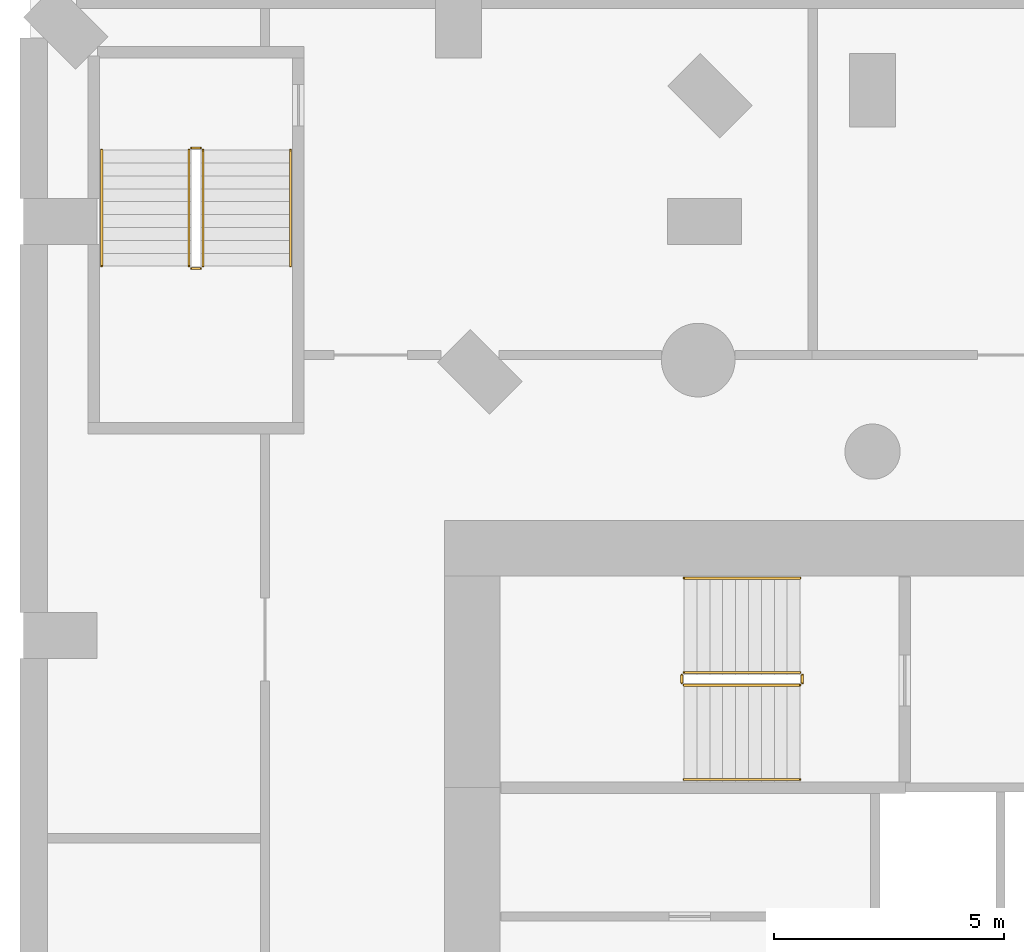
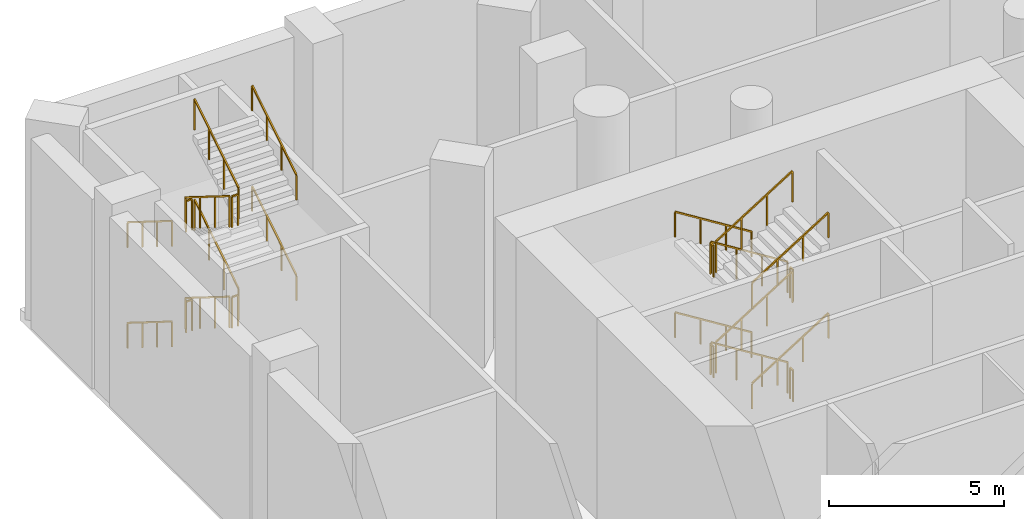
# One storey, part 20 of 21: 24 railings.
"""IFC4 building model written with IfcOpenShell, lengths in metres."""

from ifc_helpers import new_model, si_unit, direction, frame, origin, origin_2d, place, context, subcontext, project, spatial, rectangle, extrude, material, type_object, element, save


model = new_model("IFC4")

# Units and contexts
model_context = context("Model", 3, precision=1e-05, world=origin(), true_north=direction((0.0, 1.0)))
body_context = subcontext(model_context, "Body", "Model", "MODEL_VIEW")
ifc_project = project(units=[si_unit("LENGTHUNIT", "METRE"), si_unit("AREAUNIT", "SQUARE_METRE"), si_unit("VOLUMEUNIT", "CUBIC_METRE"), si_unit("PLANEANGLEUNIT", "RADIAN"), si_unit("MASSUNIT", "GRAM", prefix="KILO")], contexts=[model_context])

# Site, building, storey
site_placement = place(None, origin())
site = spatial("IfcSite", under=ifc_project, at=site_placement, CompositionType="ELEMENT")
building_placement = place(site_placement, origin())
building = spatial("IfcBuilding", under=site, at=building_placement, Name="Cypress Arch Tower", CompositionType="ELEMENT")
storey_placement = place(building_placement, frame((0.0, 0.0, 29.0)))
storey = spatial("IfcBuildingStorey", under=building, at=storey_placement, Name="L03", CompositionType="ELEMENT", Elevation=29.0)

# Railings
ifc_material_1 = material(Name="Black powder-coated steel square bar 48 mm", Category="steel")
railing_type_1 = type_object("IfcRailingType", Name="Stair handrail HR1", PredefinedType="HANDRAIL", material=ifc_material_1)
railing_1_placement = place(storey_placement, frame((-22.27490234375, 14.75, 0.175048828125)))
element("IfcRailing", 1, at=railing_1_placement, inside=storey, type_object=railing_type_1, Name="L03 B stair handrail 1", PredefinedType="HANDRAIL", context=body_context, shape_type="SweptSolid", body=[
    extrude(rectangle(XDim=0.048095703125, YDim=0.048095703125, at=origin_2d()), frame((0.0, 0.0, 0.8759765625), z_axis=(-0.848007534815, 0.0, 0.529984170421), x_axis=(0.0, -1.0, 0.0)), (0.0, 0.0, 1.0), 2.9716796875),
    extrude(rectangle(XDim=0.0419921875, YDim=0.0419921875, at=origin_2d()), origin(), (0.0, 0.0, 1.0), 0.851806640625),
    extrude(rectangle(XDim=0.0419921875, YDim=0.0419921875, at=origin_2d()), frame((-0.840087890625, 0.0, 0.52490234375)), (0.0, 0.0, 1.0), 0.851806640625),
    extrude(rectangle(XDim=0.0419921875, YDim=0.0419921875, at=origin_2d()), frame((-1.679931640625, 0.0, 1.050048828125)), (0.0, 0.0, 1.0), 0.851806640625),
    extrude(rectangle(XDim=0.0419921875, YDim=0.0419921875, at=origin_2d()), frame((-2.52001953125, 0.0, 1.574951171875)), (0.0, 0.0, 1.0), 0.851806640625),
])
railing_2_placement = place(storey_placement, frame((-24.794921875, 10.375, 1.925048828125)))
element("IfcRailing", 2, at=railing_2_placement, inside=storey, type_object=railing_type_1, Name="L03 B stair handrail 2", PredefinedType="HANDRAIL", context=body_context, shape_type="SweptSolid", body=[
    extrude(rectangle(XDim=0.048095703125, YDim=0.048095703125, at=origin_2d()), frame((0.0, 0.0, 0.8759765625), z_axis=(0.848007534815, 0.0, 0.529984170421), x_axis=(0.0, 1.0, 0.0)), (0.0, 0.0, 1.0), 2.9716796875),
    extrude(rectangle(XDim=0.0419921875, YDim=0.0419921875, at=origin_2d()), origin(), (0.0, 0.0, 1.0), 0.851806640625),
    extrude(rectangle(XDim=0.0419921875, YDim=0.0419921875, at=origin_2d()), frame((0.840087890625, 0.0, 0.52490234375)), (0.0, 0.0, 1.0), 0.851806640625),
    extrude(rectangle(XDim=0.0419921875, YDim=0.0419921875, at=origin_2d()), frame((1.679931640625, 0.0, 1.050048828125)), (0.0, 0.0, 1.0), 0.851806640625),
    extrude(rectangle(XDim=0.0419921875, YDim=0.0419921875, at=origin_2d()), frame((2.52001953125, 0.0, 1.574951171875)), (0.0, 0.0, 1.0), 0.851806640625),
])
railing_3_placement = place(storey_placement, frame((-22.27490234375, 14.75, 3.675048828125)))
element("IfcRailing", 3, at=railing_3_placement, inside=storey, type_object=railing_type_1, Name="L03 B stair handrail 3", PredefinedType="HANDRAIL", context=body_context, shape_type="SweptSolid", body=[
    extrude(rectangle(XDim=0.048095703125, YDim=0.048095703125, at=origin_2d()), frame((0.0, 0.0, 0.8759765625), z_axis=(-0.848007534815, 0.0, 0.529984170421), x_axis=(0.0, -1.0, 0.0)), (0.0, 0.0, 1.0), 2.9716796875),
    extrude(rectangle(XDim=0.0419921875, YDim=0.0419921875, at=origin_2d()), origin(), (0.0, 0.0, 1.0), 0.851806640625),
    extrude(rectangle(XDim=0.0419921875, YDim=0.0419921875, at=origin_2d()), frame((-0.840087890625, 0.0, 0.52490234375)), (0.0, 0.0, 1.0), 0.851806640625),
    extrude(rectangle(XDim=0.0419921875, YDim=0.0419921875, at=origin_2d()), frame((-1.679931640625, 0.0, 1.050048828125)), (0.0, 0.0, 1.0), 0.851806640625),
    extrude(rectangle(XDim=0.0419921875, YDim=0.0419921875, at=origin_2d()), frame((-2.52001953125, 0.0, 1.574951171875)), (0.0, 0.0, 1.0), 0.851806640625),
])
railing_4_placement = place(storey_placement, frame((-24.794921875, 10.375, 5.425048828125)))
element("IfcRailing", 4, at=railing_4_placement, inside=storey, type_object=railing_type_1, Name="L03 B stair handrail 4", PredefinedType="HANDRAIL", context=body_context, shape_type="SweptSolid", body=[
    extrude(rectangle(XDim=0.048095703125, YDim=0.048095703125, at=origin_2d()), frame((0.0, 0.0, 0.8759765625), z_axis=(0.848007534815, 0.0, 0.529984170421), x_axis=(0.0, 1.0, 0.0)), (0.0, 0.0, 1.0), 2.9716796875),
    extrude(rectangle(XDim=0.0419921875, YDim=0.0419921875, at=origin_2d()), origin(), (0.0, 0.0, 1.0), 0.851806640625),
    extrude(rectangle(XDim=0.0419921875, YDim=0.0419921875, at=origin_2d()), frame((0.840087890625, 0.0, 0.52490234375)), (0.0, 0.0, 1.0), 0.851806640625),
    extrude(rectangle(XDim=0.0419921875, YDim=0.0419921875, at=origin_2d()), frame((1.679931640625, 0.0, 1.050048828125)), (0.0, 0.0, 1.0), 0.851806640625),
    extrude(rectangle(XDim=0.0419921875, YDim=0.0419921875, at=origin_2d()), frame((2.52001953125, 0.0, 1.574951171875)), (0.0, 0.0, 1.0), 0.851806640625),
])
railing_5_placement = place(storey_placement, frame((-37.449951171875, 24.050048828125, 0.175048828125)))
element("IfcRailing", 5, at=railing_5_placement, inside=storey, type_object=railing_type_1, Name="L03 P2 stair handrail 1", PredefinedType="HANDRAIL", context=body_context, shape_type="SweptSolid", body=[
    extrude(rectangle(XDim=0.048095703125, YDim=0.048095703125, at=origin_2d()), frame((0.0, 0.0, 0.8759765625), z_axis=(0.0, -0.848007534815, 0.529984170421), x_axis=(1.0, 0.0, 0.0)), (0.0, 0.0, 1.0), 2.9716796875),
    extrude(rectangle(XDim=0.0419921875, YDim=0.0419921875, at=origin_2d()), origin(), (0.0, 0.0, 1.0), 0.851806640625),
    extrude(rectangle(XDim=0.0419921875, YDim=0.0419921875, at=origin_2d()), frame((0.0, -0.840087890625, 0.52490234375)), (0.0, 0.0, 1.0), 0.851806640625),
    extrude(rectangle(XDim=0.0419921875, YDim=0.0419921875, at=origin_2d()), frame((0.0, -1.679931640625, 1.050048828125)), (0.0, 0.0, 1.0), 0.851806640625),
    extrude(rectangle(XDim=0.0419921875, YDim=0.0419921875, at=origin_2d()), frame((0.0, -2.52001953125, 1.574951171875)), (0.0, 0.0, 1.0), 0.851806640625),
])
railing_6_placement = place(storey_placement, frame((-33.35009765625, 21.530029296875, 1.925048828125)))
element("IfcRailing", 6, at=railing_6_placement, inside=storey, type_object=railing_type_1, Name="L03 P2 stair handrail 2", PredefinedType="HANDRAIL", context=body_context, shape_type="SweptSolid", body=[
    extrude(rectangle(XDim=0.048095703125, YDim=0.048095703125, at=origin_2d()), frame((0.0, 0.0, 0.8759765625), z_axis=(0.0, 0.848007534815, 0.529984170421), x_axis=(-1.0, 0.0, 0.0)), (0.0, 0.0, 1.0), 2.9716796875),
    extrude(rectangle(XDim=0.0419921875, YDim=0.0419921875, at=origin_2d()), origin(), (0.0, 0.0, 1.0), 0.851806640625),
    extrude(rectangle(XDim=0.0419921875, YDim=0.0419921875, at=origin_2d()), frame((0.0, 0.840087890625, 0.52490234375)), (0.0, 0.0, 1.0), 0.851806640625),
    extrude(rectangle(XDim=0.0419921875, YDim=0.0419921875, at=origin_2d()), frame((0.0, 1.679931640625, 1.050048828125)), (0.0, 0.0, 1.0), 0.851806640625),
    extrude(rectangle(XDim=0.0419921875, YDim=0.0419921875, at=origin_2d()), frame((0.0, 2.52001953125, 1.574951171875)), (0.0, 0.0, 1.0), 0.851806640625),
])
railing_7_placement = place(storey_placement, frame((-37.449951171875, 24.050048828125, 3.675048828125)))
element("IfcRailing", 7, at=railing_7_placement, inside=storey, type_object=railing_type_1, Name="L03 P2 stair handrail 3", PredefinedType="HANDRAIL", context=body_context, shape_type="SweptSolid", body=[
    extrude(rectangle(XDim=0.048095703125, YDim=0.048095703125, at=origin_2d()), frame((0.0, 0.0, 0.8759765625), z_axis=(0.0, -0.848007534815, 0.529984170421), x_axis=(1.0, 0.0, 0.0)), (0.0, 0.0, 1.0), 2.9716796875),
    extrude(rectangle(XDim=0.0419921875, YDim=0.0419921875, at=origin_2d()), origin(), (0.0, 0.0, 1.0), 0.851806640625),
    extrude(rectangle(XDim=0.0419921875, YDim=0.0419921875, at=origin_2d()), frame((0.0, -0.840087890625, 0.52490234375)), (0.0, 0.0, 1.0), 0.851806640625),
    extrude(rectangle(XDim=0.0419921875, YDim=0.0419921875, at=origin_2d()), frame((0.0, -1.679931640625, 1.050048828125)), (0.0, 0.0, 1.0), 0.851806640625),
    extrude(rectangle(XDim=0.0419921875, YDim=0.0419921875, at=origin_2d()), frame((0.0, -2.52001953125, 1.574951171875)), (0.0, 0.0, 1.0), 0.851806640625),
])
railing_8_placement = place(storey_placement, frame((-33.35009765625, 21.530029296875, 5.425048828125)))
element("IfcRailing", 8, at=railing_8_placement, inside=storey, type_object=railing_type_1, Name="L03 P2 stair handrail 4", PredefinedType="HANDRAIL", context=body_context, shape_type="SweptSolid", body=[
    extrude(rectangle(XDim=0.048095703125, YDim=0.048095703125, at=origin_2d()), frame((0.0, 0.0, 0.8759765625), z_axis=(0.0, 0.848007534815, 0.529984170421), x_axis=(-1.0, 0.0, 0.0)), (0.0, 0.0, 1.0), 2.9716796875),
    extrude(rectangle(XDim=0.0419921875, YDim=0.0419921875, at=origin_2d()), origin(), (0.0, 0.0, 1.0), 0.851806640625),
    extrude(rectangle(XDim=0.0419921875, YDim=0.0419921875, at=origin_2d()), frame((0.0, 0.840087890625, 0.52490234375)), (0.0, 0.0, 1.0), 0.851806640625),
    extrude(rectangle(XDim=0.0419921875, YDim=0.0419921875, at=origin_2d()), frame((0.0, 1.679931640625, 1.050048828125)), (0.0, 0.0, 1.0), 0.851806640625),
    extrude(rectangle(XDim=0.0419921875, YDim=0.0419921875, at=origin_2d()), frame((0.0, 2.52001953125, 1.574951171875)), (0.0, 0.0, 1.0), 0.851806640625),
])
ifc_material_2 = material(Name="Black powder-coated steel balusters", Category="steel")
railing_type_2 = type_object("IfcRailingType", Name="Stair well guard G1", PredefinedType="GUARDRAIL", material=ifc_material_2)
railing_9_placement = place(storey_placement, frame((-22.27490234375, 12.699951171875, 0.175048828125)))
element("IfcRailing", 9, at=railing_9_placement, inside=storey, type_object=railing_type_2, Name="L03 B stair guard 1", PredefinedType="GUARDRAIL", context=body_context, shape_type="SweptSolid", body=[
    extrude(rectangle(XDim=0.048095703125, YDim=0.048095703125, at=origin_2d()), frame((0.0, 0.0, 1.076171875), z_axis=(-0.848007534815, 0.0, 0.529984170421), x_axis=(0.0, -1.0, 0.0)), (0.0, 0.0, 1.0), 2.9716796875),
    extrude(rectangle(XDim=0.0419921875, YDim=0.0419921875, at=origin_2d()), origin(), (0.0, 0.0, 1.0), 1.052001953125),
    extrude(rectangle(XDim=0.0419921875, YDim=0.0419921875, at=origin_2d()), frame((-0.840087890625, 0.0, 0.52490234375)), (0.0, 0.0, 1.0), 1.052001953125),
    extrude(rectangle(XDim=0.0419921875, YDim=0.0419921875, at=origin_2d()), frame((-1.679931640625, 0.0, 1.050048828125)), (0.0, 0.0, 1.0), 1.052001953125),
    extrude(rectangle(XDim=0.0419921875, YDim=0.0419921875, at=origin_2d()), frame((-2.52001953125, 0.0, 1.574951171875)), (0.0, 0.0, 1.0), 1.052001953125),
])
railing_10_placement = place(storey_placement, frame((-24.844970703125, 12.64990234375, 1.75)))
element("IfcRailing", 10, at=railing_10_placement, inside=storey, type_object=railing_type_2, Name="L03 B stair guard 2", PredefinedType="GUARDRAIL", context=body_context, shape_type="SweptSolid", body=[
    extrude(rectangle(XDim=0.048095703125, YDim=0.048095703125, at=origin_2d()), frame((0.0, 0.0, 1.076171875), z_axis=(0.0, -1.0, 0.0), x_axis=(1.0, 0.0, 0.0)), (0.0, 0.0, 1.0), 0.1748046875),
    extrude(rectangle(XDim=0.0419921875, YDim=0.0419921875, at=origin_2d()), origin(), (0.0, 0.0, 1.0), 1.052001953125),
    extrude(rectangle(XDim=0.0419921875, YDim=0.0419921875, at=origin_2d()), frame((0.0, -0.1748046875, 0.0)), (0.0, 0.0, 1.0), 1.052001953125),
])
railing_11_placement = place(storey_placement, frame((-24.794921875, 12.425048828125, 1.925048828125)))
element("IfcRailing", 11, at=railing_11_placement, inside=storey, type_object=railing_type_2, Name="L03 B stair guard 3", PredefinedType="GUARDRAIL", context=body_context, shape_type="SweptSolid", body=[
    extrude(rectangle(XDim=0.048095703125, YDim=0.048095703125, at=origin_2d()), frame((0.0, 0.0, 1.076171875), z_axis=(0.848007534815, 0.0, 0.529984170421), x_axis=(0.0, 1.0, 0.0)), (0.0, 0.0, 1.0), 2.9716796875),
    extrude(rectangle(XDim=0.0419921875, YDim=0.0419921875, at=origin_2d()), origin(), (0.0, 0.0, 1.0), 1.052001953125),
    extrude(rectangle(XDim=0.0419921875, YDim=0.0419921875, at=origin_2d()), frame((0.840087890625, 0.0, 0.52490234375)), (0.0, 0.0, 1.0), 1.052001953125),
    extrude(rectangle(XDim=0.0419921875, YDim=0.0419921875, at=origin_2d()), frame((1.679931640625, 0.0, 1.050048828125)), (0.0, 0.0, 1.0), 1.052001953125),
    extrude(rectangle(XDim=0.0419921875, YDim=0.0419921875, at=origin_2d()), frame((2.52001953125, 0.0, 1.574951171875)), (0.0, 0.0, 1.0), 1.052001953125),
])
railing_12_placement = place(storey_placement, frame((-22.22509765625, 12.64990234375, 3.5)))
element("IfcRailing", 12, at=railing_12_placement, inside=storey, type_object=railing_type_2, Name="L03 B stair guard 4", PredefinedType="GUARDRAIL", context=body_context, shape_type="SweptSolid", body=[
    extrude(rectangle(XDim=0.048095703125, YDim=0.048095703125, at=origin_2d()), frame((0.0, 0.0, 1.076171875), z_axis=(0.0, -1.0, 0.0), x_axis=(1.0, 0.0, 0.0)), (0.0, 0.0, 1.0), 0.1748046875),
    extrude(rectangle(XDim=0.0419921875, YDim=0.0419921875, at=origin_2d()), origin(), (0.0, 0.0, 1.0), 1.052001953125),
    extrude(rectangle(XDim=0.0419921875, YDim=0.0419921875, at=origin_2d()), frame((0.0, -0.1748046875, 0.0)), (0.0, 0.0, 1.0), 1.052001953125),
])
railing_13_placement = place(storey_placement, frame((-22.27490234375, 12.699951171875, 3.675048828125)))
element("IfcRailing", 13, at=railing_13_placement, inside=storey, type_object=railing_type_2, Name="L03 B stair guard 5", PredefinedType="GUARDRAIL", context=body_context, shape_type="SweptSolid", body=[
    extrude(rectangle(XDim=0.048095703125, YDim=0.048095703125, at=origin_2d()), frame((0.0, 0.0, 1.076171875), z_axis=(-0.848007534815, 0.0, 0.529984170421), x_axis=(0.0, -1.0, 0.0)), (0.0, 0.0, 1.0), 2.9716796875),
    extrude(rectangle(XDim=0.0419921875, YDim=0.0419921875, at=origin_2d()), origin(), (0.0, 0.0, 1.0), 1.052001953125),
    extrude(rectangle(XDim=0.0419921875, YDim=0.0419921875, at=origin_2d()), frame((-0.840087890625, 0.0, 0.52490234375)), (0.0, 0.0, 1.0), 1.052001953125),
    extrude(rectangle(XDim=0.0419921875, YDim=0.0419921875, at=origin_2d()), frame((-1.679931640625, 0.0, 1.050048828125)), (0.0, 0.0, 1.0), 1.052001953125),
    extrude(rectangle(XDim=0.0419921875, YDim=0.0419921875, at=origin_2d()), frame((-2.52001953125, 0.0, 1.574951171875)), (0.0, 0.0, 1.0), 1.052001953125),
])
railing_14_placement = place(storey_placement, frame((-24.844970703125, 12.64990234375, 5.25)))
element("IfcRailing", 14, at=railing_14_placement, inside=storey, type_object=railing_type_2, Name="L03 B stair guard 6", PredefinedType="GUARDRAIL", context=body_context, shape_type="SweptSolid", body=[
    extrude(rectangle(XDim=0.048095703125, YDim=0.048095703125, at=origin_2d()), frame((0.0, 0.0, 1.076171875), z_axis=(0.0, -1.0, 0.0), x_axis=(1.0, 0.0, 0.0)), (0.0, 0.0, 1.0), 0.1748046875),
    extrude(rectangle(XDim=0.0419921875, YDim=0.0419921875, at=origin_2d()), origin(), (0.0, 0.0, 1.0), 1.052001953125),
    extrude(rectangle(XDim=0.0419921875, YDim=0.0419921875, at=origin_2d()), frame((0.0, -0.1748046875, 0.0)), (0.0, 0.0, 1.0), 1.052001953125),
])
railing_15_placement = place(storey_placement, frame((-24.794921875, 12.425048828125, 5.425048828125)))
element("IfcRailing", 15, at=railing_15_placement, inside=storey, type_object=railing_type_2, Name="L03 B stair guard 7", PredefinedType="GUARDRAIL", context=body_context, shape_type="SweptSolid", body=[
    extrude(rectangle(XDim=0.048095703125, YDim=0.048095703125, at=origin_2d()), frame((0.0, 0.0, 1.076171875), z_axis=(0.848007534815, 0.0, 0.529984170421), x_axis=(0.0, 1.0, 0.0)), (0.0, 0.0, 1.0), 2.9716796875),
    extrude(rectangle(XDim=0.0419921875, YDim=0.0419921875, at=origin_2d()), origin(), (0.0, 0.0, 1.0), 1.052001953125),
    extrude(rectangle(XDim=0.0419921875, YDim=0.0419921875, at=origin_2d()), frame((0.840087890625, 0.0, 0.52490234375)), (0.0, 0.0, 1.0), 1.052001953125),
    extrude(rectangle(XDim=0.0419921875, YDim=0.0419921875, at=origin_2d()), frame((1.679931640625, 0.0, 1.050048828125)), (0.0, 0.0, 1.0), 1.052001953125),
    extrude(rectangle(XDim=0.0419921875, YDim=0.0419921875, at=origin_2d()), frame((2.52001953125, 0.0, 1.574951171875)), (0.0, 0.0, 1.0), 1.052001953125),
])
railing_16_placement = place(storey_placement, frame((-22.22509765625, 12.64990234375, 0.0)))
element("IfcRailing", 16, at=railing_16_placement, inside=storey, type_object=railing_type_2, Name="L03 B stair guard 8", PredefinedType="GUARDRAIL", context=body_context, shape_type="SweptSolid", body=[
    extrude(rectangle(XDim=0.048095703125, YDim=0.048095703125, at=origin_2d()), frame((0.0, 0.0, 1.076171875), z_axis=(0.0, -1.0, 0.0), x_axis=(1.0, 0.0, 0.0)), (0.0, 0.0, 1.0), 0.1748046875),
    extrude(rectangle(XDim=0.0419921875, YDim=0.0419921875, at=origin_2d()), origin(), (0.0, 0.0, 1.0), 1.052001953125),
    extrude(rectangle(XDim=0.0419921875, YDim=0.0419921875, at=origin_2d()), frame((0.0, -0.1748046875, 0.0)), (0.0, 0.0, 1.0), 1.052001953125),
])
railing_17_placement = place(storey_placement, frame((-35.550048828125, 24.050048828125, 0.175048828125)))
element("IfcRailing", 17, at=railing_17_placement, inside=storey, type_object=railing_type_2, Name="L03 P2 stair guard 1", PredefinedType="GUARDRAIL", context=body_context, shape_type="SweptSolid", body=[
    extrude(rectangle(XDim=0.048095703125, YDim=0.048095703125, at=origin_2d()), frame((0.0, 0.0, 1.076171875), z_axis=(0.0, -0.848007534815, 0.529984170421), x_axis=(1.0, 0.0, 0.0)), (0.0, 0.0, 1.0), 2.9716796875),
    extrude(rectangle(XDim=0.0419921875, YDim=0.0419921875, at=origin_2d()), origin(), (0.0, 0.0, 1.0), 1.052001953125),
    extrude(rectangle(XDim=0.0419921875, YDim=0.0419921875, at=origin_2d()), frame((0.0, -0.840087890625, 0.52490234375)), (0.0, 0.0, 1.0), 1.052001953125),
    extrude(rectangle(XDim=0.0419921875, YDim=0.0419921875, at=origin_2d()), frame((0.0, -1.679931640625, 1.050048828125)), (0.0, 0.0, 1.0), 1.052001953125),
    extrude(rectangle(XDim=0.0419921875, YDim=0.0419921875, at=origin_2d()), frame((0.0, -2.52001953125, 1.574951171875)), (0.0, 0.0, 1.0), 1.052001953125),
])
railing_18_placement = place(storey_placement, frame((-35.5, 21.47998046875, 1.75)))
element("IfcRailing", 18, at=railing_18_placement, inside=storey, type_object=railing_type_2, Name="L03 P2 stair guard 2", PredefinedType="GUARDRAIL", context=body_context, shape_type="SweptSolid", body=[
    extrude(rectangle(XDim=0.048095703125, YDim=0.048095703125, at=origin_2d()), frame((0.0, 0.0, 1.076171875), z_axis=(1.0, 0.0, 0.0), x_axis=(0.0, 1.0, 0.0)), (0.0, 0.0, 1.0), 0.199951171875),
    extrude(rectangle(XDim=0.0419921875, YDim=0.0419921875, at=origin_2d()), origin(), (0.0, 0.0, 1.0), 1.052001953125),
    extrude(rectangle(XDim=0.0419921875, YDim=0.0419921875, at=origin_2d()), frame((0.199951171875, 0.0, 0.0)), (0.0, 0.0, 1.0), 1.052001953125),
])
railing_19_placement = place(storey_placement, frame((-35.25, 21.530029296875, 1.925048828125)))
element("IfcRailing", 19, at=railing_19_placement, inside=storey, type_object=railing_type_2, Name="L03 P2 stair guard 3", PredefinedType="GUARDRAIL", context=body_context, shape_type="SweptSolid", body=[
    extrude(rectangle(XDim=0.048095703125, YDim=0.048095703125, at=origin_2d()), frame((0.0, 0.0, 1.076171875), z_axis=(0.0, 0.848007534815, 0.529984170421), x_axis=(-1.0, 0.0, 0.0)), (0.0, 0.0, 1.0), 2.9716796875),
    extrude(rectangle(XDim=0.0419921875, YDim=0.0419921875, at=origin_2d()), origin(), (0.0, 0.0, 1.0), 1.052001953125),
    extrude(rectangle(XDim=0.0419921875, YDim=0.0419921875, at=origin_2d()), frame((0.0, 0.840087890625, 0.52490234375)), (0.0, 0.0, 1.0), 1.052001953125),
    extrude(rectangle(XDim=0.0419921875, YDim=0.0419921875, at=origin_2d()), frame((0.0, 1.679931640625, 1.050048828125)), (0.0, 0.0, 1.0), 1.052001953125),
    extrude(rectangle(XDim=0.0419921875, YDim=0.0419921875, at=origin_2d()), frame((0.0, 2.52001953125, 1.574951171875)), (0.0, 0.0, 1.0), 1.052001953125),
])
railing_20_placement = place(storey_placement, frame((-35.5, 24.10009765625, 3.5)))
element("IfcRailing", 20, at=railing_20_placement, inside=storey, type_object=railing_type_2, Name="L03 P2 stair guard 4", PredefinedType="GUARDRAIL", context=body_context, shape_type="SweptSolid", body=[
    extrude(rectangle(XDim=0.048095703125, YDim=0.048095703125, at=origin_2d()), frame((0.0, 0.0, 1.076171875), z_axis=(1.0, 0.0, 0.0), x_axis=(0.0, 1.0, 0.0)), (0.0, 0.0, 1.0), 0.199951171875),
    extrude(rectangle(XDim=0.0419921875, YDim=0.0419921875, at=origin_2d()), origin(), (0.0, 0.0, 1.0), 1.052001953125),
    extrude(rectangle(XDim=0.0419921875, YDim=0.0419921875, at=origin_2d()), frame((0.199951171875, 0.0, 0.0)), (0.0, 0.0, 1.0), 1.052001953125),
])
railing_21_placement = place(storey_placement, frame((-35.550048828125, 24.050048828125, 3.675048828125)))
element("IfcRailing", 21, at=railing_21_placement, inside=storey, type_object=railing_type_2, Name="L03 P2 stair guard 5", PredefinedType="GUARDRAIL", context=body_context, shape_type="SweptSolid", body=[
    extrude(rectangle(XDim=0.048095703125, YDim=0.048095703125, at=origin_2d()), frame((0.0, 0.0, 1.076171875), z_axis=(0.0, -0.848007534815, 0.529984170421), x_axis=(1.0, 0.0, 0.0)), (0.0, 0.0, 1.0), 2.9716796875),
    extrude(rectangle(XDim=0.0419921875, YDim=0.0419921875, at=origin_2d()), origin(), (0.0, 0.0, 1.0), 1.052001953125),
    extrude(rectangle(XDim=0.0419921875, YDim=0.0419921875, at=origin_2d()), frame((0.0, -0.840087890625, 0.52490234375)), (0.0, 0.0, 1.0), 1.052001953125),
    extrude(rectangle(XDim=0.0419921875, YDim=0.0419921875, at=origin_2d()), frame((0.0, -1.679931640625, 1.050048828125)), (0.0, 0.0, 1.0), 1.052001953125),
    extrude(rectangle(XDim=0.0419921875, YDim=0.0419921875, at=origin_2d()), frame((0.0, -2.52001953125, 1.574951171875)), (0.0, 0.0, 1.0), 1.052001953125),
])
railing_22_placement = place(storey_placement, frame((-35.5, 21.47998046875, 5.25)))
element("IfcRailing", 22, at=railing_22_placement, inside=storey, type_object=railing_type_2, Name="L03 P2 stair guard 6", PredefinedType="GUARDRAIL", context=body_context, shape_type="SweptSolid", body=[
    extrude(rectangle(XDim=0.048095703125, YDim=0.048095703125, at=origin_2d()), frame((0.0, 0.0, 1.076171875), z_axis=(1.0, 0.0, 0.0), x_axis=(0.0, 1.0, 0.0)), (0.0, 0.0, 1.0), 0.199951171875),
    extrude(rectangle(XDim=0.0419921875, YDim=0.0419921875, at=origin_2d()), origin(), (0.0, 0.0, 1.0), 1.052001953125),
    extrude(rectangle(XDim=0.0419921875, YDim=0.0419921875, at=origin_2d()), frame((0.199951171875, 0.0, 0.0)), (0.0, 0.0, 1.0), 1.052001953125),
])
railing_23_placement = place(storey_placement, frame((-35.25, 21.530029296875, 5.425048828125)))
element("IfcRailing", 23, at=railing_23_placement, inside=storey, type_object=railing_type_2, Name="L03 P2 stair guard 7", PredefinedType="GUARDRAIL", context=body_context, shape_type="SweptSolid", body=[
    extrude(rectangle(XDim=0.048095703125, YDim=0.048095703125, at=origin_2d()), frame((0.0, 0.0, 1.076171875), z_axis=(0.0, 0.848007534815, 0.529984170421), x_axis=(-1.0, 0.0, 0.0)), (0.0, 0.0, 1.0), 2.9716796875),
    extrude(rectangle(XDim=0.0419921875, YDim=0.0419921875, at=origin_2d()), origin(), (0.0, 0.0, 1.0), 1.052001953125),
    extrude(rectangle(XDim=0.0419921875, YDim=0.0419921875, at=origin_2d()), frame((0.0, 0.840087890625, 0.52490234375)), (0.0, 0.0, 1.0), 1.052001953125),
    extrude(rectangle(XDim=0.0419921875, YDim=0.0419921875, at=origin_2d()), frame((0.0, 1.679931640625, 1.050048828125)), (0.0, 0.0, 1.0), 1.052001953125),
    extrude(rectangle(XDim=0.0419921875, YDim=0.0419921875, at=origin_2d()), frame((0.0, 2.52001953125, 1.574951171875)), (0.0, 0.0, 1.0), 1.052001953125),
])
railing_24_placement = place(storey_placement, frame((-35.5, 24.10009765625, 0.0)))
element("IfcRailing", 24, at=railing_24_placement, inside=storey, type_object=railing_type_2, Name="L03 P2 stair guard 8", PredefinedType="GUARDRAIL", context=body_context, shape_type="SweptSolid", body=[
    extrude(rectangle(XDim=0.048095703125, YDim=0.048095703125, at=origin_2d()), frame((0.0, 0.0, 1.076171875), z_axis=(1.0, 0.0, 0.0), x_axis=(0.0, 1.0, 0.0)), (0.0, 0.0, 1.0), 0.199951171875),
    extrude(rectangle(XDim=0.0419921875, YDim=0.0419921875, at=origin_2d()), origin(), (0.0, 0.0, 1.0), 1.052001953125),
    extrude(rectangle(XDim=0.0419921875, YDim=0.0419921875, at=origin_2d()), frame((0.199951171875, 0.0, 0.0)), (0.0, 0.0, 1.0), 1.052001953125),
])

save(model, "model.ifc")
